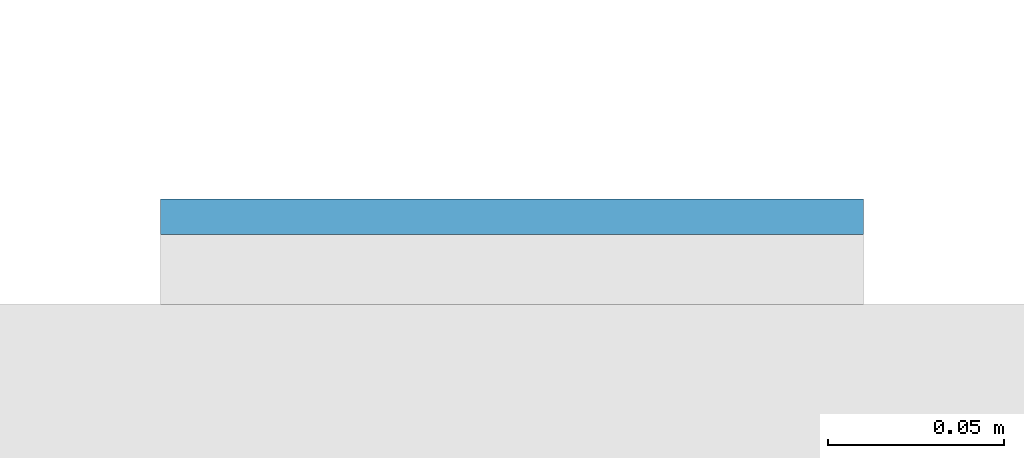
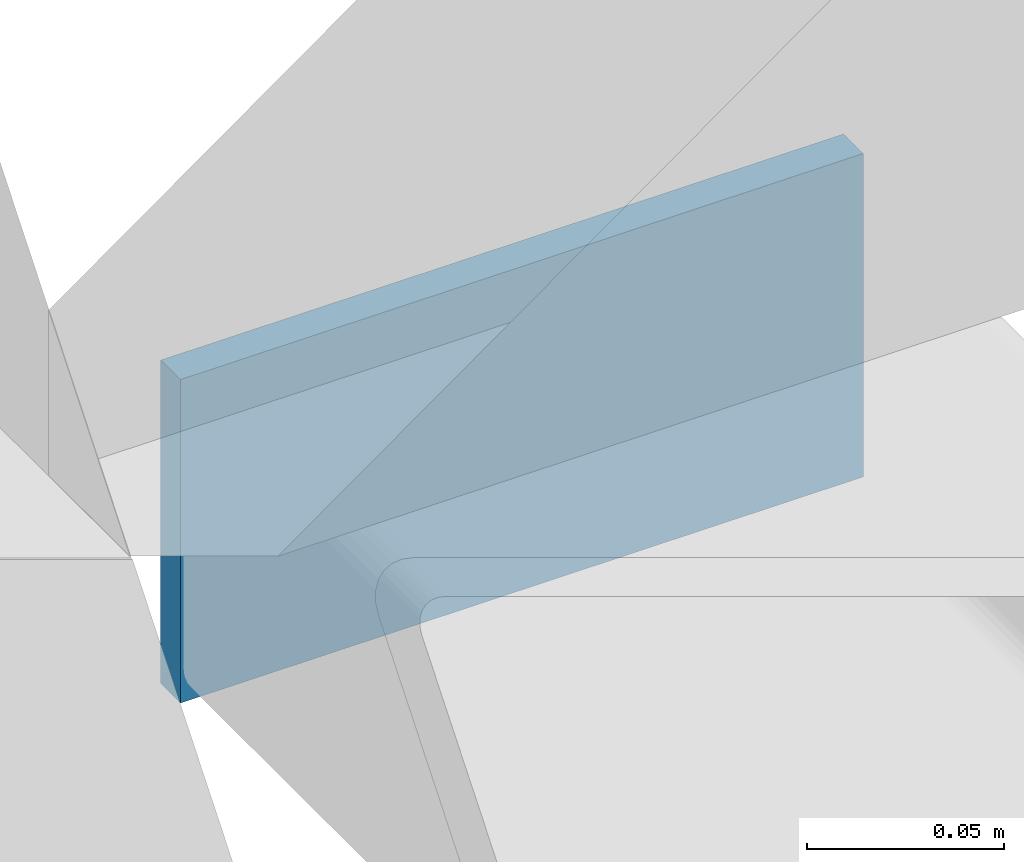
# One storey, part 11 of 21: 1 plate.
"""IFC4 building model written with IfcOpenShell, lengths in metres."""

from ifc_helpers import new_model, si_unit, direction, frame, origin, origin_2d, place, context, subcontext, project, spatial, rectangle, extrude, material, layer, layer_set, type_object, element, save


model = new_model("IFC4")

# Units and contexts
model_context = context("Model", 3, precision=1e-05, world=origin(), true_north=direction((0.0, 1.0)))
body_context = subcontext(model_context, "Body", "Model", "MODEL_VIEW")
ifc_project = project(units=[si_unit("LENGTHUNIT", "METRE"), si_unit("AREAUNIT", "SQUARE_METRE"), si_unit("VOLUMEUNIT", "CUBIC_METRE"), si_unit("PLANEANGLEUNIT", "RADIAN"), si_unit("MASSUNIT", "GRAM", prefix="KILO")], contexts=[model_context])

# Site, building, storey
site_placement = place(None, origin())
site = spatial("IfcSite", under=ifc_project, at=site_placement, CompositionType="ELEMENT")
building_placement = place(site_placement, origin())
building = spatial("IfcBuilding", under=site, at=building_placement, Name="Cleftline Residences", CompositionType="ELEMENT")
storey_placement = place(building_placement, frame((0.0, 0.0, 65.60009765625)))
storey = spatial("IfcBuildingStorey", under=building, at=storey_placement, Name="L16", CompositionType="ELEMENT", Elevation=65.60009765625)

# Plate
ifc_material = material(Name="Steel S355, hot-dip galvanised", Category="steel")
ifc_layer = layer(ifc_material, 0.010009765625)
ifc_layer_set = layer_set([ifc_layer], Name="BAGUETTE CARRIER END PLATE 200X100X10")
plate_type = type_object("IfcPlateType", Name="BAGUETTE CARRIER END PLATE 200X100X10", PredefinedType="USERDEFINED", material=ifc_layer_set)
plate_placement = place(storey_placement, frame((66.85009765625, 44.304931640625, -0.10009765625), z_axis=(0.0, 0.0, 1.0), x_axis=(1.0, 0.0, 0.0)))
element("IfcPlate", 1, at=plate_placement, inside=storey, type_object=plate_type, Name="Baguette carrier end plate", ObjectType="BAGUETTE CARRIER END PLATE", PredefinedType="USERDEFINED", context=body_context, shape_type="SweptSolid", body=[
    extrude(rectangle(XDim=0.199951171875, YDim=0.010009765625, at=origin_2d()), origin(), (0.0, 0.0, 1.0), 0.10009765625),
])

save(model, "model.ifc")
